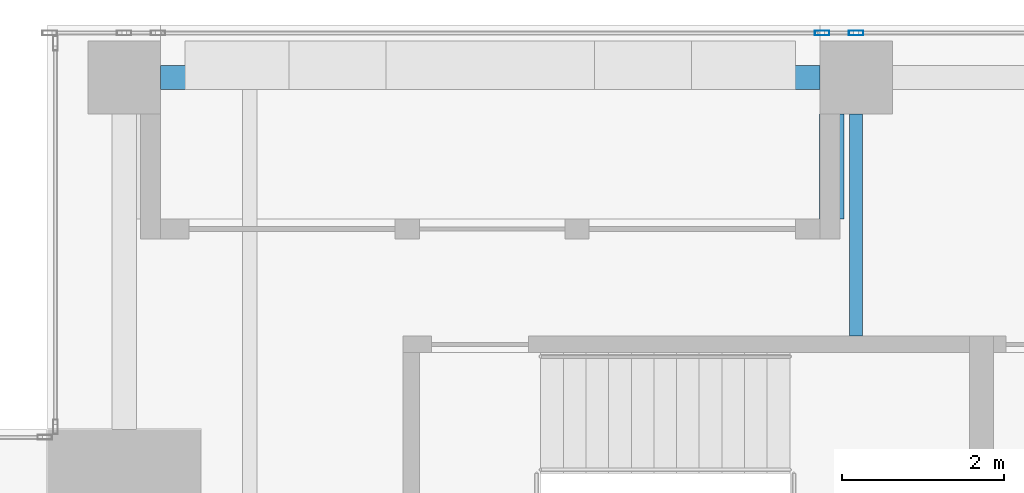
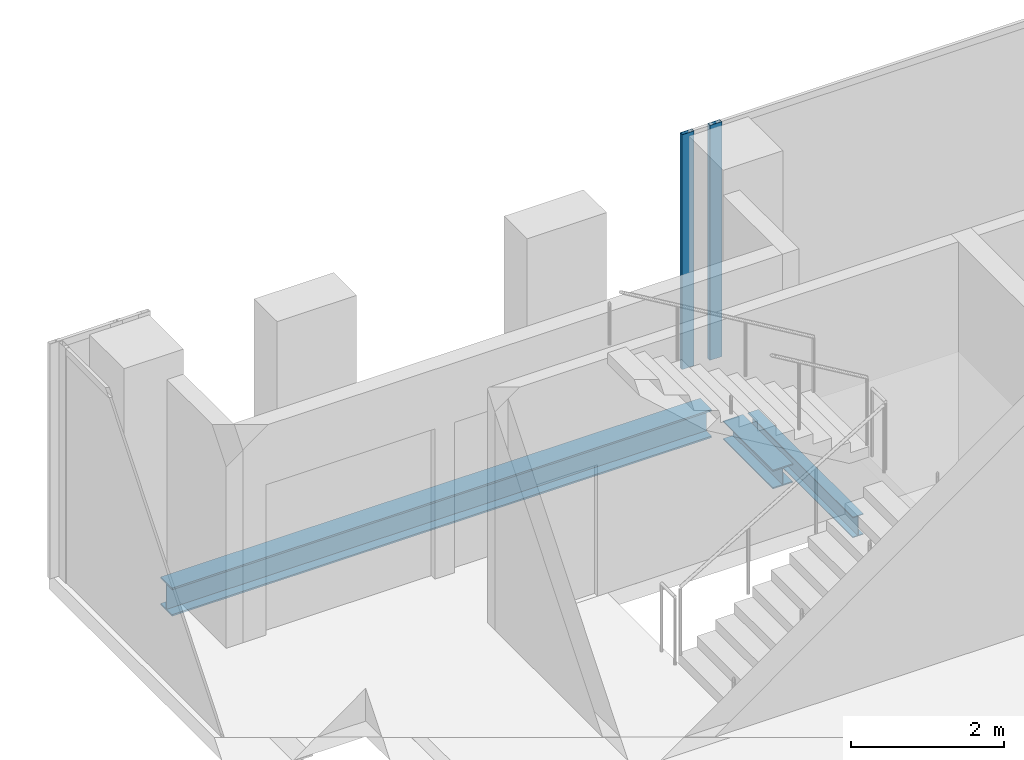
# One storey, part 18 of 34: 3 beams, 2 members, 1 element without a shape of its own.
"""IFC4 building model written with IfcOpenShell, lengths in metres."""

from ifc_helpers import new_model, si_unit, direction, frame, origin, origin_2d, place, context, subcontext, project, spatial, hollow_rectangle, i_section, extrude, source, transform, mapped, material, material_profile, profile_set, type_object, element, aggregate, save


model = new_model("IFC4")

# Units and contexts
model_context = context("Model", 3, precision=1e-05, world=origin(), true_north=direction((0.0, 1.0)))
body_context = subcontext(model_context, "Body", "Model", "MODEL_VIEW")
ifc_project = project(units=[si_unit("LENGTHUNIT", "METRE"), si_unit("AREAUNIT", "SQUARE_METRE"), si_unit("VOLUMEUNIT", "CUBIC_METRE"), si_unit("PLANEANGLEUNIT", "RADIAN"), si_unit("MASSUNIT", "GRAM", prefix="KILO")], contexts=[model_context])

# Site, building, storey
site_placement = place(None, origin())
site = spatial("IfcSite", under=ifc_project, at=site_placement, CompositionType="ELEMENT")
building_placement = place(site_placement, origin())
building = spatial("IfcBuilding", under=site, at=building_placement, Name="Khomas Fold Tower", CompositionType="ELEMENT")
storey_placement = place(building_placement, frame((0.0, 0.0, 242.199951171875)))
storey = spatial("IfcBuildingStorey", under=building, at=storey_placement, Name="L54", CompositionType="ELEMENT", Elevation=242.199951171875)

# Beams
ifc_material_1 = material(Name="Steel S355", Category="steel")
ifc_material_profile_1 = material_profile(ifc_material_1, i_section(OverallWidth=0.159912109375, OverallDepth=0.330078125, WebThickness=0.007568359375, FlangeThickness=0.011474609375, at=origin_2d()), Name="IPE 330")
ifc_profile_set_1 = profile_set([ifc_material_profile_1], Name="Steel S355")
beam_type_1 = type_object("IfcBeamType", Name="IPE 330 beam JB1", PredefinedType="BEAM", material=ifc_profile_set_1)
shared_shape_1 = source(origin(), body_context, "Body", "SweptSolid", [
    extrude(i_section(OverallWidth=0.159912109375, OverallDepth=0.330078125, WebThickness=0.007568359375, FlangeThickness=0.011474609375, at=origin_2d()), origin(), (0.0, 0.0, 1.0), 2.75),
])
beam_1_placement = place(storey_placement, frame((19.5, 45.64990234375, -0.4150390625), z_axis=(0.0, 1.0, 0.0), x_axis=(-1.0, 0.0, 0.0)))
element("IfcBeam", 1, at=beam_1_placement, inside=storey, type_object=beam_type_1, Name="JB1", PredefinedType="BEAM", context=body_context, shape_type="MappedRepresentation", body=[
    mapped(shared_shape_1, transform((0.0, 0.0, 0.0))),
])
ifc_material_2 = material(Name="Steel S355", Category="steel")
ifc_material_profile_2 = material_profile(ifc_material_2, i_section(OverallWidth=0.300048828125, OverallDepth=0.449951171875, WebThickness=0.013916015625, FlangeThickness=0.02587890625, at=origin_2d()), Name="HE 450 B")
ifc_profile_set_2 = profile_set([ifc_material_profile_2], Name="Steel S355")
beam_type_2 = type_object("IfcBeamType", Name="HE 450 B spandrel SB4", PredefinedType="SPANDREL", material=ifc_profile_set_2)
shared_shape_2 = source(origin(), body_context, "Body", "SweptSolid", [
    extrude(i_section(OverallWidth=0.300048828125, OverallDepth=0.449951171875, WebThickness=0.013916015625, FlangeThickness=0.02587890625, at=origin_2d()), origin(), (0.0, 0.0, 1.0), 8.150146484375),
])
beam_2_placement = place(storey_placement, frame((10.89990234375, 48.85009765625, -0.474853515625), z_axis=(1.0, 0.0, 0.0), x_axis=(0.0, 1.0, 0.0)))
element("IfcBeam", 2, at=beam_2_placement, inside=storey, type_object=beam_type_2, Name="SB4", PredefinedType="SPANDREL", context=body_context, shape_type="MappedRepresentation", body=[
    mapped(shared_shape_2, transform((0.0, 0.0, 0.0))),
])
ifc_material_3 = material(Name="Steel S355", Category="steel")
ifc_material_profile_3 = material_profile(ifc_material_3, i_section(OverallWidth=0.300048828125, OverallDepth=0.300048828125, WebThickness=0.010986328125, FlangeThickness=0.01904296875, at=origin_2d()), Name="HE 300 B")
ifc_profile_set_3 = profile_set([ifc_material_profile_3], Name="Steel S355")
beam_type_3 = type_object("IfcBeamType", Name="HE 300 B beam BB1", PredefinedType="BEAM", material=ifc_profile_set_3)
shared_shape_3 = source(origin(), body_context, "Body", "SweptSolid", [
    extrude(i_section(OverallWidth=0.300048828125, OverallDepth=0.300048828125, WebThickness=0.010986328125, FlangeThickness=0.01904296875, at=origin_2d()), origin(), (0.0, 0.0, 1.0), 1.2998046875),
])
beam_3_placement = place(storey_placement, frame((19.199951171875, 47.10009765625, -0.39990234375), z_axis=(0.0, 1.0, 0.0), x_axis=(-1.0, 0.0, 0.0)))
element("IfcBeam", 3, at=beam_3_placement, inside=storey, type_object=beam_type_3, Name="BB1", PredefinedType="BEAM", context=body_context, shape_type="MappedRepresentation", body=[
    mapped(shared_shape_3, transform((0.0, 0.0, 0.0))),
])

# Curtain wall, members
ifc_material_4 = material(Name="Aluminium framed double glazing", Category="aluminium")
curtain_wall_type = type_object("IfcCurtainWallType", Name="SK-Unitised clear-glass wall, office floors CW2", PredefinedType="NOTDEFINED", material=ifc_material_4)
curtain_wall_placement = place(storey_placement, origin())
curtain_wall = element("IfcCurtainWall", 4, at=curtain_wall_placement, inside=storey, type_object=curtain_wall_type, Name="CW2 run L54 06-1", PredefinedType="NOTDEFINED")
ifc_material_5 = material(Name="Aluminium", Category="aluminium")
ifc_material_profile_4 = material_profile(ifc_material_5, hollow_rectangle(XDim=0.06005859375, YDim=0.179931640625, WallThickness=0.00390625, at=origin_2d()), Name="SK-Unitised clear-glass wall, office floors mullion CW2-M")
ifc_profile_set_4 = profile_set([ifc_material_profile_4], Name="Aluminium")
member_type = type_object("IfcMemberType", Name="SK-Unitised clear-glass wall, office floors mullion CW2-M", PredefinedType="MULLION", material=ifc_profile_set_4)
shared_shape_4 = source(origin(), body_context, "Body", "SweptSolid", [
    extrude(hollow_rectangle(XDim=0.06005859375, YDim=0.179931640625, WallThickness=0.00390625, at=origin_2d()), origin(), (0.0, 0.0, 1.0), 3.75),
])
member_1_placement = place(storey_placement, frame((19.5, 49.39990234375, 0.0), z_axis=(0.0, 0.0, 1.0), x_axis=(0.0, -1.0, 0.0)))
member_1 = element("IfcMember", 5, at=member_1_placement, type_object=member_type, Name="CW2 mullion 3", PredefinedType="MULLION", context=body_context, shape_type="MappedRepresentation", body=[
    mapped(shared_shape_4, transform((0.0, 0.0, 0.0))),
])
member_2_placement = place(storey_placement, frame((19.080078125, 49.39990234375, 0.0), z_axis=(0.0, 0.0, 1.0), x_axis=(0.0, -1.0, 0.0)))
member_2 = element("IfcMember", 6, at=member_2_placement, type_object=member_type, Name="CW2 mullion 4", PredefinedType="MULLION", context=body_context, shape_type="MappedRepresentation", body=[
    mapped(shared_shape_4, transform((0.0, 0.0, 0.0))),
])
aggregate(curtain_wall, [member_1, member_2])

save(model, "model.ifc")
